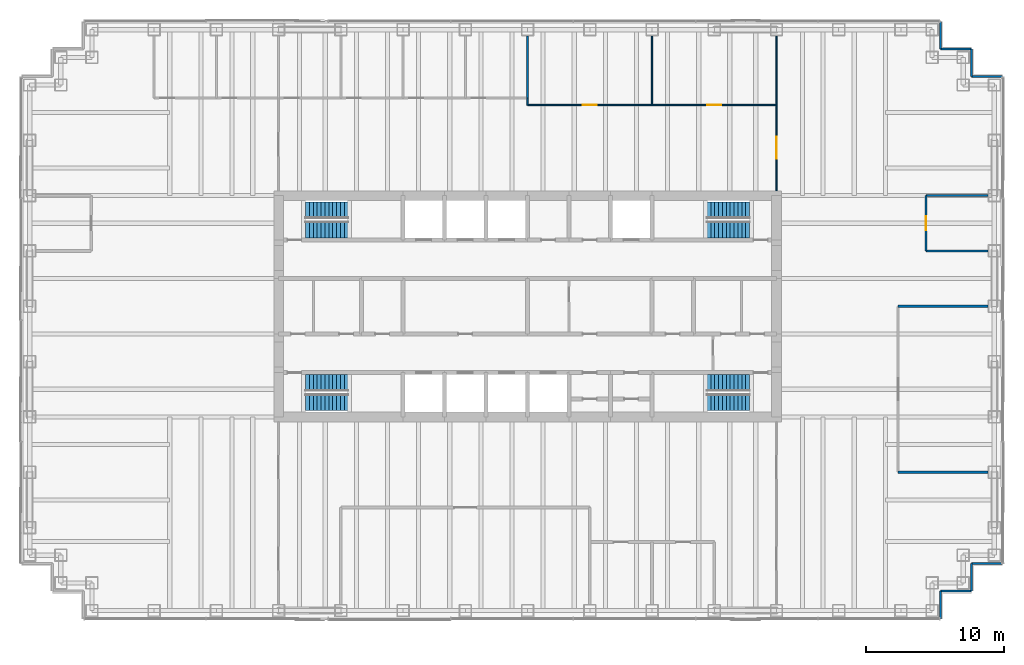
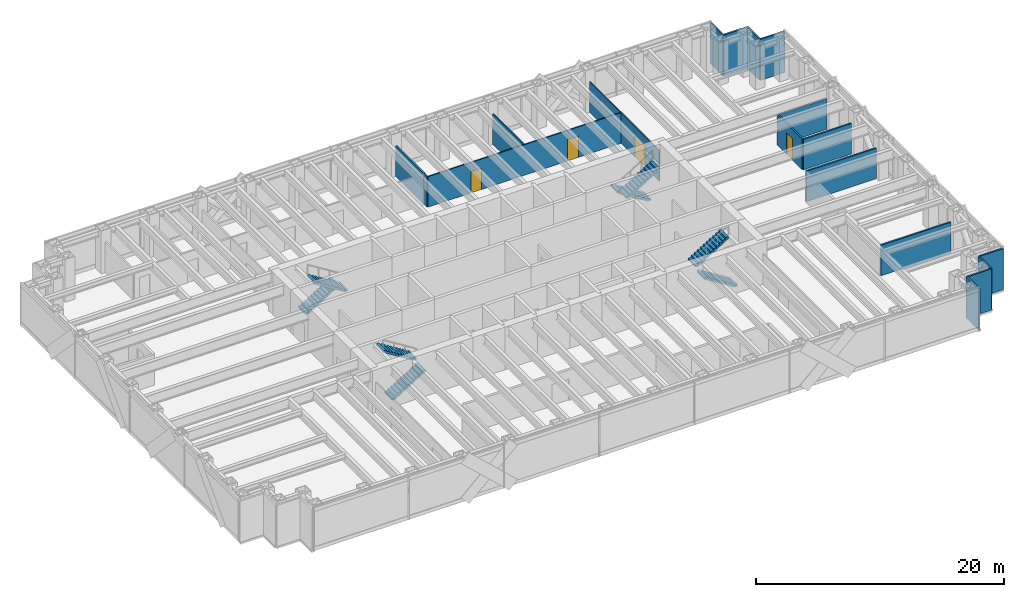
# One storey, part 16 of 17: 18 walls, 8 stair flights, 4 doors, 4 openings, 4 elements without a shape of their own.
"""IFC4 building model written with IfcOpenShell, lengths in metres."""

from ifc_helpers import new_model, si_unit, direction, frame, frame_2d, origin, place, context, subcontext, project, spatial, polyline, rectangle, outline, extrude, material, layer, layer_set, type_object, element, fill, aggregate, save


model = new_model("IFC4")

# Units and contexts
model_context = context("Model", 3, precision=1e-05, world=origin(), true_north=direction((0.0, 1.0)))
body_context = subcontext(model_context, "Body", "Model", "MODEL_VIEW")
ifc_project = project(units=[si_unit("LENGTHUNIT", "METRE"), si_unit("AREAUNIT", "SQUARE_METRE"), si_unit("VOLUMEUNIT", "CUBIC_METRE"), si_unit("PLANEANGLEUNIT", "RADIAN"), si_unit("MASSUNIT", "GRAM", prefix="KILO")], contexts=[model_context])

# Site, building, storey
site_placement = place(None, origin())
site = spatial("IfcSite", under=ifc_project, at=site_placement, CompositionType="ELEMENT")
building_placement = place(site_placement, origin())
building = spatial("IfcBuilding", under=site, at=building_placement, Name="Rheinbord Bourse Tower", CompositionType="ELEMENT")
storey_placement = place(building_placement, frame((0.0, 0.0, 317.300048828125)))
storey = spatial("IfcBuildingStorey", under=building, at=storey_placement, Name="L72", CompositionType="ELEMENT", Elevation=317.300048828125)

# Walls
ifc_material_1 = material(Name="Black metal rainscreen panel", Category="aluminium")
ifc_layer_1 = layer(ifc_material_1, 0.14990234375)
ifc_layer_set_1 = layer_set([ifc_layer_1], Name="CORNER PIER CLADDING 150")
wall_type_1 = type_object("IfcWallType", Name="CORNER PIER CLADDING 150", PredefinedType="ELEMENTEDWALL", material=ifc_layer_set_1)
wall_1_placement = place(storey_placement, frame((65.85009765625, 1.39990234375, 0.0), z_axis=(0.0, 0.0, 1.0), x_axis=(0.0, 1.0, 0.0)))
element("IfcWall", 1, at=wall_1_placement, inside=storey, type_object=wall_type_1, Name="Corner pier cladding L72 2", PredefinedType="ELEMENTEDWALL", context=body_context, shape_type="SweptSolid", body=[
    extrude(rectangle(XDim=2.0, YDim=0.14990234375, at=frame_2d((1.0, 0.0))), origin(), (0.0, 0.0, 1.0), 4.0400390625),
])
wall_2_placement = place(storey_placement, frame((65.85009765625, 3.39990234375, 0.0), z_axis=(0.0, 0.0, 1.0), x_axis=(1.0, 0.0, 0.0)))
element("IfcWall", 2, at=wall_2_placement, inside=storey, type_object=wall_type_1, Name="Corner pier cladding L72 3", PredefinedType="ELEMENTEDWALL", context=body_context, shape_type="SweptSolid", body=[
    extrude(rectangle(XDim=2.25, YDim=0.14990234375, at=frame_2d((1.125, 0.0))), origin(), (0.0, 0.0, 1.0), 4.0400390625),
])
wall_3_placement = place(storey_placement, frame((68.10009765625, 3.39990234375, 0.0), z_axis=(0.0, 0.0, 1.0), x_axis=(0.0, 1.0, 0.0)))
element("IfcWall", 3, at=wall_3_placement, inside=storey, type_object=wall_type_1, Name="Corner pier cladding L72 4", PredefinedType="ELEMENTEDWALL", context=body_context, shape_type="SweptSolid", body=[
    extrude(rectangle(XDim=2.0, YDim=0.14990234375, at=frame_2d((1.0, 0.0))), origin(), (0.0, 0.0, 1.0), 4.0400390625),
])
for number, where, z_axis, x_axis, name in (
    (4, (68.10009765625, 5.39990234375, 0.0), (0.0, 0.0, 1.0), (1.0, 0.0, 0.0), "Corner pier cladding L72 5"),
    (5, (70.35009765625, 40.60009765625, 0.0), (0.0, 0.0, 1.0), (-1.0, 0.0, 0.0), "Corner pier cladding L72 7"),
):
    element("IfcWall", number, at=place(storey_placement, frame(where, z_axis=z_axis, x_axis=x_axis)), inside=storey, type_object=wall_type_1, Name=name, PredefinedType="ELEMENTEDWALL", context=body_context, shape_type="SweptSolid", body=[
        extrude(rectangle(XDim=2.25, YDim=0.14990234375, at=frame_2d((1.125, 0.0))), origin(), (0.0, 0.0, 1.0), 4.0400390625),
    ])
wall_4_placement = place(storey_placement, frame((68.10009765625, 40.60009765625, 0.0), z_axis=(0.0, 0.0, 1.0), x_axis=(0.0, 1.0, 0.0)))
element("IfcWall", 6, at=wall_4_placement, inside=storey, type_object=wall_type_1, Name="Corner pier cladding L72 8", PredefinedType="ELEMENTEDWALL", context=body_context, shape_type="SweptSolid", body=[
    extrude(rectangle(XDim=2.0, YDim=0.14990234375, at=frame_2d((1.0, 0.0))), origin(), (0.0, 0.0, 1.0), 4.0400390625),
])
wall_5_placement = place(storey_placement, frame((68.10009765625, 42.60009765625, 0.0), z_axis=(0.0, 0.0, 1.0), x_axis=(-1.0, 0.0, 0.0)))
element("IfcWall", 7, at=wall_5_placement, inside=storey, type_object=wall_type_1, Name="Corner pier cladding L72 9", PredefinedType="ELEMENTEDWALL", context=body_context, shape_type="SweptSolid", body=[
    extrude(rectangle(XDim=2.25, YDim=0.14990234375, at=frame_2d((1.125, 0.0))), origin(), (0.0, 0.0, 1.0), 4.0400390625),
])
wall_6_placement = place(storey_placement, frame((65.85009765625, 42.60009765625, 0.0), z_axis=(0.0, 0.0, 1.0), x_axis=(0.0, 1.0, 0.0)))
element("IfcWall", 8, at=wall_6_placement, inside=storey, type_object=wall_type_1, Name="Corner pier cladding L72 10", PredefinedType="ELEMENTEDWALL", context=body_context, shape_type="SweptSolid", body=[
    extrude(rectangle(XDim=2.0, YDim=0.14990234375, at=frame_2d((1.0, 0.0))), origin(), (0.0, 0.0, 1.0), 4.0400390625),
])

# Wall, openings, doors
ifc_material_2 = material(Name="Toughened laminated glass partition", Category="glass")
ifc_layer_2 = layer(ifc_material_2, 0.10009765625)
ifc_layer_set_2 = layer_set([ifc_layer_2], Name="GLAZED PARTITION 100")
wall_type_2 = type_object("IfcWallType", Name="GLAZED PARTITION 100", PredefinedType="PARTITIONING", material=ifc_layer_set_2)
wall_7_placement = place(storey_placement, frame((36.0, 38.550048828125, 0.0), z_axis=(0.0, 0.0, 1.0), x_axis=(1.0, 0.0, 0.0)))
wall_7 = element("IfcWall", 9, at=wall_7_placement, inside=storey, type_object=wall_type_2, Name="Partition L72-09", PredefinedType="PARTITIONING", context=body_context, shape_type="SweptSolid", body=[
    extrude(rectangle(XDim=18.0, YDim=0.10009765625, at=frame_2d((9.0, 0.0))), origin(), (0.0, 0.0, 1.0), 3.0),
])
opening_1_placement = place(wall_7_placement, frame((4.0, 0.0, 0.0)))
opening_1 = element("IfcOpeningElement", 10, at=opening_1_placement, cuts=wall_7, Name="Opening 72D07", PredefinedType="OPENING", context=body_context, shape_type="SweptSolid", body=[
    extrude(rectangle(XDim=1.0, YDim=2.10009765625, at=frame_2d((0.5, 1.050048828125))), frame((0.0, 0.06005859375, 0.0), z_axis=(0.0, -1.0, 0.0), x_axis=(1.0, 0.0, 0.0)), (0.0, 0.0, 1.0), 0.1201171875),
])
opening_2_placement = place(wall_7_placement, frame((13.0, 0.0, 0.0)))
opening_2 = element("IfcOpeningElement", 11, at=opening_2_placement, cuts=wall_7, Name="Opening 72D08", PredefinedType="OPENING", context=body_context, shape_type="SweptSolid", body=[
    extrude(rectangle(XDim=1.0, YDim=2.10009765625, at=frame_2d((0.5, 1.050048828125))), frame((0.0, 0.06005859375, 0.0), z_axis=(0.0, -1.0, 0.0), x_axis=(1.0, 0.0, 0.0)), (0.0, 0.0, 1.0), 0.1201171875),
])
ifc_material_3 = material(Name="Timber door", Category="wood")
door_type_1 = type_object("IfcDoorType", Name="ROOM DOOR 1000", OperationType="SINGLE_SWING_LEFT", PredefinedType="DOOR", material=ifc_material_3)
door_1_placement = place(opening_1_placement, origin())
door_1 = element("IfcDoor", 12, at=door_1_placement, inside=storey, type_object=door_type_1, Name="Meeting room door L72", OperationType="SINGLE_SWING_LEFT", OverallHeight=2.10009765625, OverallWidth=1.0, PredefinedType="DOOR", context=body_context, shape_type="SweptSolid", body=[
    extrude(rectangle(XDim=1.0, YDim=2.10009765625, at=frame_2d((0.5, 1.050048828125))), frame((0.0, 0.02490234375, 0.0), z_axis=(0.0, -1.0, 0.0), x_axis=(1.0, 0.0, 0.0)), (0.0, 0.0, 1.0), 0.050048828125),
])
fill(opening_1, door_1)
door_2_placement = place(opening_2_placement, origin())
door_2 = element("IfcDoor", 13, at=door_2_placement, inside=storey, type_object=door_type_1, Name="Meeting room door L72", OperationType="SINGLE_SWING_RIGHT", OverallHeight=2.10009765625, OverallWidth=1.0, PredefinedType="DOOR", context=body_context, shape_type="SweptSolid", body=[
    extrude(rectangle(XDim=1.0, YDim=2.10009765625, at=frame_2d((0.5, 1.050048828125))), frame((0.0, 0.02490234375, 0.0), z_axis=(0.0, -1.0, 0.0), x_axis=(1.0, 0.0, 0.0)), (0.0, 0.0, 1.0), 0.050048828125),
])
fill(opening_2, door_2)

# Walls
wall_8_placement = place(storey_placement, frame((36.0, 38.550048828125, 0.0), z_axis=(0.0, 0.0, 1.0), x_axis=(0.0, 1.0, 0.0)))
element("IfcWall", 14, at=wall_8_placement, inside=storey, type_object=wall_type_2, Name="Partition L72-21", PredefinedType="PARTITIONING", context=body_context, shape_type="SweptSolid", body=[
    extrude(rectangle(XDim=0.5, YDim=0.10009765625, at=frame_2d((0.25, 0.0))), origin(), (0.0, 0.0, 1.0), 3.0),
])
wall_9_placement = place(storey_placement, frame((45.0, 38.550048828125, 0.0), z_axis=(0.0, 0.0, 1.0), x_axis=(0.0, 1.0, 0.0)))
element("IfcWall", 15, at=wall_9_placement, inside=storey, type_object=wall_type_2, Name="Partition L72-25", PredefinedType="PARTITIONING", context=body_context, shape_type="SweptSolid", body=[
    extrude(rectangle(XDim=5.0, YDim=0.10009765625, at=frame_2d((2.5, 0.0))), origin(), (0.0, 0.0, 1.0), 3.0),
])

# Wall, opening, door
wall_10_placement = place(storey_placement, frame((54.0, 32.35009765625, 0.0), z_axis=(0.0, 0.0, 1.0), x_axis=(0.0, 1.0, 0.0)))
wall_10 = element("IfcWall", 16, at=wall_10_placement, inside=storey, type_object=wall_type_2, Name="Partition L72-28", PredefinedType="PARTITIONING", context=body_context, shape_type="SweptSolid", body=[
    extrude(rectangle(XDim=11.199951171875, YDim=0.10009765625, at=frame_2d((5.60009765625, 0.0))), origin(), (0.0, 0.0, 1.0), 3.0),
])
opening_3_placement = place(wall_10_placement, frame((2.300048828125, 0.0, 0.0)))
opening_3 = element("IfcOpeningElement", 17, at=opening_3_placement, cuts=wall_10, Name="Opening 72D20", PredefinedType="OPENING", context=body_context, shape_type="SweptSolid", body=[
    extrude(rectangle(XDim=1.60009765625, YDim=2.10009765625, at=frame_2d((0.800048828125, 1.050048828125))), frame((0.0, 0.06005859375, 0.0), z_axis=(0.0, -1.0, 0.0), x_axis=(1.0, 0.0, 0.0)), (0.0, 0.0, 1.0), 0.1201171875),
])
ifc_material_4 = material(Name="Timber door", Category="wood")
door_type_2 = type_object("IfcDoorType", Name="DOUBLE ROOM DOOR 1600", OperationType="DOUBLE_DOOR_DOUBLE_SWING", PredefinedType="DOOR", material=ifc_material_4)
door_3_placement = place(opening_3_placement, origin())
door_3 = element("IfcDoor", 18, at=door_3_placement, inside=storey, type_object=door_type_2, Name="Open area door L72", OperationType="SINGLE_SWING_LEFT", OverallHeight=2.10009765625, OverallWidth=1.60009765625, PredefinedType="DOOR", context=body_context, shape_type="SweptSolid", body=[
    extrude(rectangle(XDim=1.60009765625, YDim=2.10009765625, at=frame_2d((0.800048828125, 1.050048828125))), frame((0.0, 0.02490234375, 0.0), z_axis=(0.0, -1.0, 0.0), x_axis=(1.0, 0.0, 0.0)), (0.0, 0.0, 1.0), 0.050048828125),
])
fill(opening_3, door_3)

# Walls
ifc_material_5 = material(Name="Gypsum board partition", Category="gypsum board")
ifc_layer_3 = layer(ifc_material_5, 0.14990234375)
ifc_layer_set_3 = layer_set([ifc_layer_3], Name="PARTITION 150")
wall_type_3 = type_object("IfcWallType", Name="PARTITION 150", PredefinedType="PARTITIONING", material=ifc_layer_set_3)
for number, where, z_axis, x_axis, name in (
    (19, (62.800048828125, 12.0, 0.0), (0.0, 0.0, 1.0), (1.0, 0.0, 0.0), "Partition L72-03"),
    (20, (62.800048828125, 24.0, 0.0), (0.0, 0.0, 1.0), (1.0, 0.0, 0.0), "Partition L72-04"),
):
    element("IfcWall", number, at=place(storey_placement, frame(where, z_axis=z_axis, x_axis=x_axis)), inside=storey, type_object=wall_type_3, Name=name, PredefinedType="PARTITIONING", context=body_context, shape_type="SweptSolid", body=[
        extrude(rectangle(XDim=6.5, YDim=0.14990234375, at=frame_2d((3.25, 0.0))), origin(), (0.0, 0.0, 1.0), 3.0),
    ])
for number, where, z_axis, x_axis, name in (
    (21, (64.800048828125, 28.0, 0.0), (0.0, 0.0, 1.0), (1.0, 0.0, 0.0), "Partition L72-06"),
    (22, (64.800048828125, 32.0, 0.0), (0.0, 0.0, 1.0), (1.0, 0.0, 0.0), "Partition L72-08"),
    (23, (36.0, 39.050048828125, 0.0), (0.0, 0.0, 1.0), (0.0, 1.0, 0.0), "Partition L72-22"),
):
    element("IfcWall", number, at=place(storey_placement, frame(where, z_axis=z_axis, x_axis=x_axis)), inside=storey, type_object=wall_type_3, Name=name, PredefinedType="PARTITIONING", context=body_context, shape_type="SweptSolid", body=[
        extrude(rectangle(XDim=4.5, YDim=0.14990234375, at=frame_2d((2.25, 0.0))), origin(), (0.0, 0.0, 1.0), 3.0),
    ])

# Wall, opening, door
wall_11_placement = place(storey_placement, frame((64.800048828125, 28.0, 0.0), z_axis=(0.0, 0.0, 1.0), x_axis=(0.0, 1.0, 0.0)))
wall_11 = element("IfcWall", 24, at=wall_11_placement, inside=storey, type_object=wall_type_3, Name="Partition L72-30", PredefinedType="PARTITIONING", context=body_context, shape_type="SweptSolid", body=[
    extrude(rectangle(XDim=4.0, YDim=0.14990234375, at=frame_2d((2.0, 0.0))), origin(), (0.0, 0.0, 1.0), 3.0),
])
opening_4_placement = place(wall_11_placement, frame((1.5, 0.0, 0.0)))
opening_4 = element("IfcOpeningElement", 25, at=opening_4_placement, cuts=wall_11, Name="Opening 72D06", PredefinedType="OPENING", context=body_context, shape_type="SweptSolid", body=[
    extrude(rectangle(XDim=1.0, YDim=2.10009765625, at=frame_2d((0.5, 1.050048828125))), frame((0.0, 0.0849609375, 0.0), z_axis=(0.0, -1.0, 0.0), x_axis=(1.0, 0.0, 0.0)), (0.0, 0.0, 1.0), 0.169921875),
])
door_4_placement = place(opening_4_placement, origin())
door_4 = element("IfcDoor", 26, at=door_4_placement, inside=storey, type_object=door_type_1, Name="Pantry door L72", OperationType="SINGLE_SWING_LEFT", OverallHeight=2.10009765625, OverallWidth=1.0, PredefinedType="DOOR", context=body_context, shape_type="SweptSolid", body=[
    extrude(rectangle(XDim=1.0, YDim=2.10009765625, at=frame_2d((0.5, 1.050048828125))), frame((0.0, 0.02490234375, 0.0), z_axis=(0.0, -1.0, 0.0), x_axis=(1.0, 0.0, 0.0)), (0.0, 0.0, 1.0), 0.050048828125),
])
fill(opening_4, door_4)

# Stair, stair flights
ifc_material_6 = material(Name="Concrete C30/37", Category="concrete")
stair_type = type_object("IfcStairType", Name="CORE STAIR HALF TURN 4200", PredefinedType="HALF_TURN_STAIR", material=ifc_material_6)
stair_1_placement = place(storey_placement, origin())
stair_1 = element("IfcStair", 27, at=stair_1_placement, inside=storey, type_object=stair_type, Name="Stair ST1 L72, type CS6", PredefinedType="HALF_TURN_STAIR")
ifc_material_7 = material(Name="Concrete C30/37", Category="concrete")
stair_flight_type = type_object("IfcStairFlightType", Name="CORE STAIR FLIGHT 1200, 12 RISERS", PredefinedType="STRAIGHT", material=ifc_material_7)
stair_flight_1_placement = place(storey_placement, frame((19.949951171875, 17.050048828125, 0.0), z_axis=(0.0, 0.0, 1.0), x_axis=(1.0, 0.0, 0.0)))
stair_flight_1 = element("IfcStairFlight", 28, at=stair_flight_1_placement, type_object=stair_flight_type, Name="STAIR L72 ST1 F1", NumberOfRisers=12, NumberOfTreads=11, PredefinedType="STRAIGHT", RiserHeight=0.175, TreadLength=0.28, context=body_context, shape_type="SweptSolid", body=[
    extrude(outline(polyline([(0.0, 0.0), (0.0, 0.175048828125), (0.280029296875, 0.175048828125), (0.280029296875, 0.35009765625), (0.56005859375, 0.35009765625), (0.56005859375, 0.52490234375), (0.840087890625, 0.52490234375), (0.840087890625, 0.699951171875), (1.1201171875, 0.699951171875), (1.1201171875, 0.875), (1.39990234375, 0.875), (1.39990234375, 1.050048828125), (1.679931640625, 1.050048828125), (1.679931640625, 1.22509765625), (1.9599609375, 1.22509765625), (1.9599609375, 1.39990234375), (2.239990234375, 1.39990234375), (2.239990234375, 1.574951171875), (2.52001953125, 1.574951171875), (2.52001953125, 1.75), (2.800048828125, 1.75), (2.800048828125, 1.925048828125), (3.080078125, 1.925048828125), (3.080078125, 2.10009765625), (3.080078125, 1.748291015625), (0.28271484375, 0.0), (0.0, 0.0)])), frame((0.0, 0.60009765625, 0.0), z_axis=(0.0, -1.0, 0.0), x_axis=(1.0, 0.0, 0.0)), (0.0, 0.0, 1.0), 1.199951171875),
])
stair_flight_2_placement = place(storey_placement, frame((23.030029296875, 18.449951171875, 2.099853515625), z_axis=(0.0, 0.0, 1.0), x_axis=(-1.0, 0.0, 0.0)))
stair_flight_2 = element("IfcStairFlight", 29, at=stair_flight_2_placement, type_object=stair_flight_type, Name="STAIR L72 ST1 F2", NumberOfRisers=12, NumberOfTreads=11, PredefinedType="STRAIGHT", RiserHeight=0.175, TreadLength=0.28, context=body_context, shape_type="SweptSolid", body=[
    extrude(outline(polyline([(0.0, 0.0), (0.0, 0.175048828125), (0.280029296875, 0.175048828125), (0.280029296875, 0.35009765625), (0.56005859375, 0.35009765625), (0.56005859375, 0.52490234375), (0.840087890625, 0.52490234375), (0.840087890625, 0.699951171875), (1.1201171875, 0.699951171875), (1.1201171875, 0.875), (1.39990234375, 0.875), (1.39990234375, 1.050048828125), (1.679931640625, 1.050048828125), (1.679931640625, 1.22509765625), (1.9599609375, 1.22509765625), (1.9599609375, 1.39990234375), (2.239990234375, 1.39990234375), (2.239990234375, 1.574951171875), (2.52001953125, 1.574951171875), (2.52001953125, 1.75), (2.800048828125, 1.75), (2.800048828125, 1.925048828125), (3.080078125, 1.925048828125), (3.080078125, 2.10009765625), (3.080078125, 1.748291015625), (0.28271484375, 0.0), (0.0, 0.0)])), frame((0.0, 0.60009765625, 0.0), z_axis=(0.0, -1.0, 0.0), x_axis=(1.0, 0.0, 0.0)), (0.0, 0.0, 1.0), 1.199951171875),
])
aggregate(stair_1, [stair_flight_1, stair_flight_2])

stair_2_placement = place(storey_placement, origin())
stair_2 = element("IfcStair", 30, at=stair_2_placement, inside=storey, type_object=stair_type, Name="Stair ST2 L72, type CS6", PredefinedType="HALF_TURN_STAIR")
stair_flight_3_placement = place(storey_placement, frame((19.949951171875, 30.949951171875, 0.0), z_axis=(0.0, 0.0, 1.0), x_axis=(1.0, 0.0, 0.0)))
stair_flight_3 = element("IfcStairFlight", 31, at=stair_flight_3_placement, type_object=stair_flight_type, Name="STAIR L72 ST2 F1", NumberOfRisers=12, NumberOfTreads=11, PredefinedType="STRAIGHT", RiserHeight=0.175, TreadLength=0.28, context=body_context, shape_type="SweptSolid", body=[
    extrude(outline(polyline([(0.0, 0.0), (0.0, 0.175048828125), (0.280029296875, 0.175048828125), (0.280029296875, 0.35009765625), (0.56005859375, 0.35009765625), (0.56005859375, 0.52490234375), (0.840087890625, 0.52490234375), (0.840087890625, 0.699951171875), (1.1201171875, 0.699951171875), (1.1201171875, 0.875), (1.39990234375, 0.875), (1.39990234375, 1.050048828125), (1.679931640625, 1.050048828125), (1.679931640625, 1.22509765625), (1.9599609375, 1.22509765625), (1.9599609375, 1.39990234375), (2.239990234375, 1.39990234375), (2.239990234375, 1.574951171875), (2.52001953125, 1.574951171875), (2.52001953125, 1.75), (2.800048828125, 1.75), (2.800048828125, 1.925048828125), (3.080078125, 1.925048828125), (3.080078125, 2.10009765625), (3.080078125, 1.748291015625), (0.28271484375, 0.0), (0.0, 0.0)])), frame((0.0, 0.60009765625, 0.0), z_axis=(0.0, -1.0, 0.0), x_axis=(1.0, 0.0, 0.0)), (0.0, 0.0, 1.0), 1.199951171875),
])
stair_flight_4_placement = place(storey_placement, frame((23.030029296875, 29.550048828125, 2.099853515625), z_axis=(0.0, 0.0, 1.0), x_axis=(-1.0, 0.0, 0.0)))
stair_flight_4 = element("IfcStairFlight", 32, at=stair_flight_4_placement, type_object=stair_flight_type, Name="STAIR L72 ST2 F2", NumberOfRisers=12, NumberOfTreads=11, PredefinedType="STRAIGHT", RiserHeight=0.175, TreadLength=0.28, context=body_context, shape_type="SweptSolid", body=[
    extrude(outline(polyline([(0.0, 0.0), (0.0, 0.175048828125), (0.280029296875, 0.175048828125), (0.280029296875, 0.35009765625), (0.56005859375, 0.35009765625), (0.56005859375, 0.52490234375), (0.840087890625, 0.52490234375), (0.840087890625, 0.699951171875), (1.1201171875, 0.699951171875), (1.1201171875, 0.875), (1.39990234375, 0.875), (1.39990234375, 1.050048828125), (1.679931640625, 1.050048828125), (1.679931640625, 1.22509765625), (1.9599609375, 1.22509765625), (1.9599609375, 1.39990234375), (2.239990234375, 1.39990234375), (2.239990234375, 1.574951171875), (2.52001953125, 1.574951171875), (2.52001953125, 1.75), (2.800048828125, 1.75), (2.800048828125, 1.925048828125), (3.080078125, 1.925048828125), (3.080078125, 2.10009765625), (3.080078125, 1.748291015625), (0.28271484375, 0.0), (0.0, 0.0)])), frame((0.0, 0.60009765625, 0.0), z_axis=(0.0, -1.0, 0.0), x_axis=(1.0, 0.0, 0.0)), (0.0, 0.0, 1.0), 1.199951171875),
])
aggregate(stair_2, [stair_flight_3, stair_flight_4])

stair_3_placement = place(storey_placement, origin())
stair_3 = element("IfcStair", 33, at=stair_3_placement, inside=storey, type_object=stair_type, Name="Stair ST3 L72, type CS6", PredefinedType="HALF_TURN_STAIR")
stair_flight_5_placement = place(storey_placement, frame((52.050048828125, 17.050048828125, 0.0), z_axis=(0.0, 0.0, 1.0), x_axis=(-1.0, 0.0, 0.0)))
stair_flight_5 = element("IfcStairFlight", 34, at=stair_flight_5_placement, type_object=stair_flight_type, Name="STAIR L72 ST3 F1", NumberOfRisers=12, NumberOfTreads=11, PredefinedType="STRAIGHT", RiserHeight=0.175, TreadLength=0.28, context=body_context, shape_type="SweptSolid", body=[
    extrude(outline(polyline([(0.0, 0.0), (0.0, 0.175048828125), (0.280029296875, 0.175048828125), (0.280029296875, 0.35009765625), (0.56005859375, 0.35009765625), (0.56005859375, 0.52490234375), (0.840087890625, 0.52490234375), (0.840087890625, 0.699951171875), (1.1201171875, 0.699951171875), (1.1201171875, 0.875), (1.39990234375, 0.875), (1.39990234375, 1.050048828125), (1.679931640625, 1.050048828125), (1.679931640625, 1.22509765625), (1.9599609375, 1.22509765625), (1.9599609375, 1.39990234375), (2.239990234375, 1.39990234375), (2.239990234375, 1.574951171875), (2.52001953125, 1.574951171875), (2.52001953125, 1.75), (2.800048828125, 1.75), (2.800048828125, 1.925048828125), (3.080078125, 1.925048828125), (3.080078125, 2.10009765625), (3.080078125, 1.748291015625), (0.28271484375, 0.0), (0.0, 0.0)])), frame((0.0, 0.60009765625, 0.0), z_axis=(0.0, -1.0, 0.0), x_axis=(1.0, 0.0, 0.0)), (0.0, 0.0, 1.0), 1.199951171875),
])
stair_flight_6_placement = place(storey_placement, frame((48.969970703125, 18.449951171875, 2.099853515625), z_axis=(0.0, 0.0, 1.0), x_axis=(1.0, 0.0, 0.0)))
stair_flight_6 = element("IfcStairFlight", 35, at=stair_flight_6_placement, type_object=stair_flight_type, Name="STAIR L72 ST3 F2", NumberOfRisers=12, NumberOfTreads=11, PredefinedType="STRAIGHT", RiserHeight=0.175, TreadLength=0.28, context=body_context, shape_type="SweptSolid", body=[
    extrude(outline(polyline([(0.0, 0.0), (0.0, 0.175048828125), (0.280029296875, 0.175048828125), (0.280029296875, 0.35009765625), (0.56005859375, 0.35009765625), (0.56005859375, 0.52490234375), (0.840087890625, 0.52490234375), (0.840087890625, 0.699951171875), (1.1201171875, 0.699951171875), (1.1201171875, 0.875), (1.39990234375, 0.875), (1.39990234375, 1.050048828125), (1.679931640625, 1.050048828125), (1.679931640625, 1.22509765625), (1.9599609375, 1.22509765625), (1.9599609375, 1.39990234375), (2.239990234375, 1.39990234375), (2.239990234375, 1.574951171875), (2.52001953125, 1.574951171875), (2.52001953125, 1.75), (2.800048828125, 1.75), (2.800048828125, 1.925048828125), (3.080078125, 1.925048828125), (3.080078125, 2.10009765625), (3.080078125, 1.748291015625), (0.28271484375, 0.0), (0.0, 0.0)])), frame((0.0, 0.60009765625, 0.0), z_axis=(0.0, -1.0, 0.0), x_axis=(1.0, 0.0, 0.0)), (0.0, 0.0, 1.0), 1.199951171875),
])
aggregate(stair_3, [stair_flight_5, stair_flight_6])

stair_4_placement = place(storey_placement, origin())
stair_4 = element("IfcStair", 36, at=stair_4_placement, inside=storey, type_object=stair_type, Name="Stair ST4 L72, type CS6", PredefinedType="HALF_TURN_STAIR")
stair_flight_7_placement = place(storey_placement, frame((52.050048828125, 30.949951171875, 0.0), z_axis=(0.0, 0.0, 1.0), x_axis=(-1.0, 0.0, 0.0)))
stair_flight_7 = element("IfcStairFlight", 37, at=stair_flight_7_placement, type_object=stair_flight_type, Name="STAIR L72 ST4 F1", NumberOfRisers=12, NumberOfTreads=11, PredefinedType="STRAIGHT", RiserHeight=0.175, TreadLength=0.28, context=body_context, shape_type="SweptSolid", body=[
    extrude(outline(polyline([(0.0, 0.0), (0.0, 0.175048828125), (0.280029296875, 0.175048828125), (0.280029296875, 0.35009765625), (0.56005859375, 0.35009765625), (0.56005859375, 0.52490234375), (0.840087890625, 0.52490234375), (0.840087890625, 0.699951171875), (1.1201171875, 0.699951171875), (1.1201171875, 0.875), (1.39990234375, 0.875), (1.39990234375, 1.050048828125), (1.679931640625, 1.050048828125), (1.679931640625, 1.22509765625), (1.9599609375, 1.22509765625), (1.9599609375, 1.39990234375), (2.239990234375, 1.39990234375), (2.239990234375, 1.574951171875), (2.52001953125, 1.574951171875), (2.52001953125, 1.75), (2.800048828125, 1.75), (2.800048828125, 1.925048828125), (3.080078125, 1.925048828125), (3.080078125, 2.10009765625), (3.080078125, 1.748291015625), (0.28271484375, 0.0), (0.0, 0.0)])), frame((0.0, 0.60009765625, 0.0), z_axis=(0.0, -1.0, 0.0), x_axis=(1.0, 0.0, 0.0)), (0.0, 0.0, 1.0), 1.199951171875),
])
stair_flight_8_placement = place(storey_placement, frame((48.969970703125, 29.550048828125, 2.099853515625), z_axis=(0.0, 0.0, 1.0), x_axis=(1.0, 0.0, 0.0)))
stair_flight_8 = element("IfcStairFlight", 38, at=stair_flight_8_placement, type_object=stair_flight_type, Name="STAIR L72 ST4 F2", NumberOfRisers=12, NumberOfTreads=11, PredefinedType="STRAIGHT", RiserHeight=0.175, TreadLength=0.28, context=body_context, shape_type="SweptSolid", body=[
    extrude(outline(polyline([(0.0, 0.0), (0.0, 0.175048828125), (0.280029296875, 0.175048828125), (0.280029296875, 0.35009765625), (0.56005859375, 0.35009765625), (0.56005859375, 0.52490234375), (0.840087890625, 0.52490234375), (0.840087890625, 0.699951171875), (1.1201171875, 0.699951171875), (1.1201171875, 0.875), (1.39990234375, 0.875), (1.39990234375, 1.050048828125), (1.679931640625, 1.050048828125), (1.679931640625, 1.22509765625), (1.9599609375, 1.22509765625), (1.9599609375, 1.39990234375), (2.239990234375, 1.39990234375), (2.239990234375, 1.574951171875), (2.52001953125, 1.574951171875), (2.52001953125, 1.75), (2.800048828125, 1.75), (2.800048828125, 1.925048828125), (3.080078125, 1.925048828125), (3.080078125, 2.10009765625), (3.080078125, 1.748291015625), (0.28271484375, 0.0), (0.0, 0.0)])), frame((0.0, 0.60009765625, 0.0), z_axis=(0.0, -1.0, 0.0), x_axis=(1.0, 0.0, 0.0)), (0.0, 0.0, 1.0), 1.199951171875),
])
aggregate(stair_4, [stair_flight_7, stair_flight_8])

save(model, "model.ifc")
